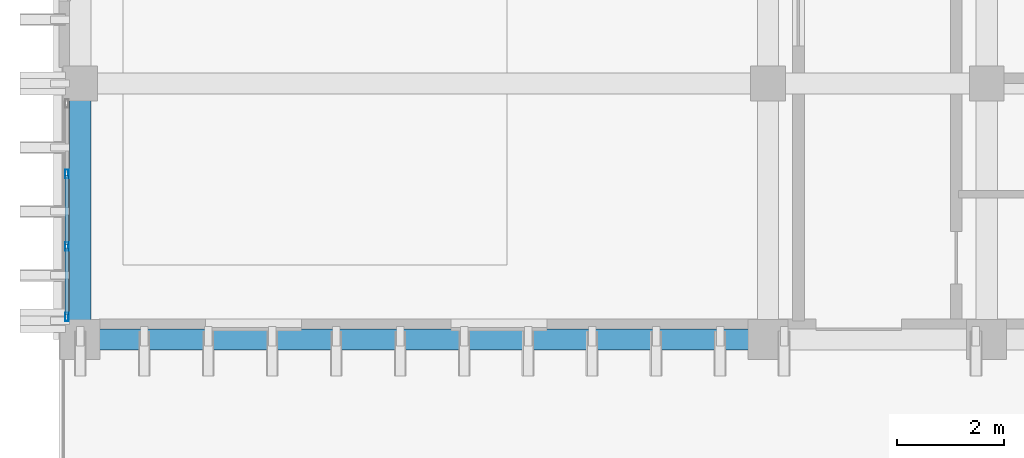
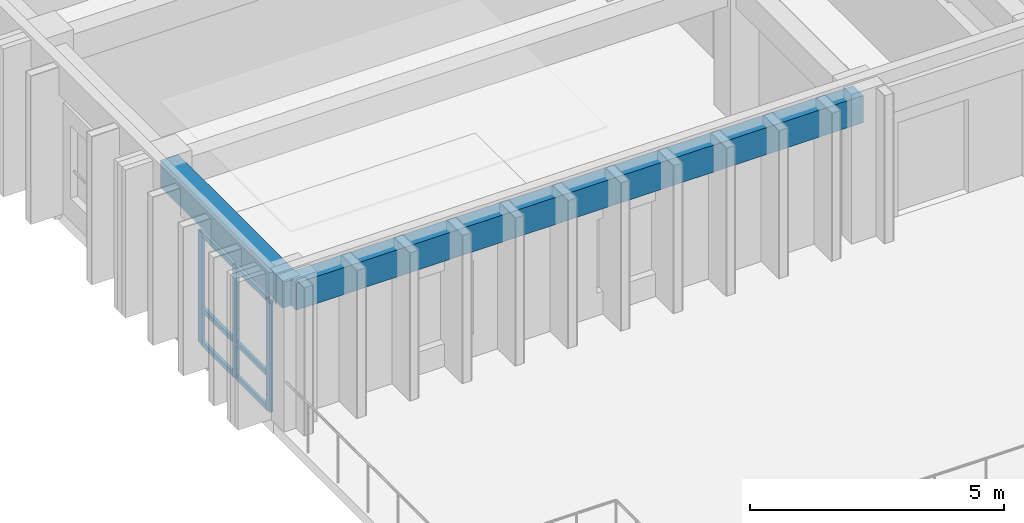
# One storey, part 2 of 64: 9 members, 2 beams, 1 element without a shape of its own.
"""IFC4 building model written with IfcOpenShell, lengths in metres."""

import ifcopenshell
import ifcopenshell.guid

model = None  # the IFC model being written
_history = None  # IfcOwnerHistory: only IFC2X3 demands one
_inside = {}  # id of a spatial element -> (the spatial element, [elements in it])
_under = {}  # id of a project, library or spatial element -> (it, [spatial elements below it])
_declared = {}  # id of a project -> (the project, [libraries it declares])
_typed = {}  # id of a type object -> (the type object, [elements of that type])
_made_of = {}  # id of a material, layer set ... -> (it, [elements and type objects made of it])


def new_model(schema):
    """Start an empty IFC model of exactly this schema.

    Asked for "IFC4X3", IfcOpenShell would pick the latest addendum, in which some entities
    have other attributes; the version numbers below select the first issue.
    IFC2X3 requires an IfcOwnerHistory on every rooted entity: one is made here for all.
    """
    global model, _history
    if schema == "IFC4X3":
        model = ifcopenshell.file(schema_version=(4, 3, 0, 0))
    else:
        model = ifcopenshell.file(schema=schema)
    _inside.clear()
    _under.clear()
    _declared.clear()
    _typed.clear()
    _made_of.clear()
    _history = None
    if model.schema == "IFC2X3":
        org = make("IfcOrganization", Name="unknown")
        user = make(
            "IfcPersonAndOrganization",
            ThePerson=make("IfcPerson", FamilyName="unknown"),
            TheOrganization=org,
        )
        app = make(
            "IfcApplication",
            ApplicationDeveloper=org,
            Version="unknown",
            ApplicationFullName="unknown",
            ApplicationIdentifier="unknown",
        )
        _history = make(
            "IfcOwnerHistory",
            OwningUser=user,
            OwningApplication=app,
            ChangeAction="ADDED",
            CreationDate=0,
        )
    return model


def make(cls, **values):
    """One entity of the class cls with the attributes given. An attribute that is None is left unset."""
    return model.create_entity(
        cls, **{name: value for name, value in values.items() if value is not None}
    )


def rooted(cls, **values):
    """An entity with a GlobalId (a new one), such as an element, a storey or a relation."""
    return make(cls, GlobalId=ifcopenshell.guid.new(), OwnerHistory=_history, **values)


def si_unit(unit_type, name, prefix=None):
    """IfcSIUnit, for example si_unit("LENGTHUNIT", "METRE", prefix="MILLI")."""
    return make("IfcSIUnit", UnitType=unit_type, Prefix=prefix, Name=name)


def assignment(units):
    """IfcUnitAssignment: the units of a project."""
    return None if units is None else make("IfcUnitAssignment", Units=units)


def point(xyz):
    """IfcCartesianPoint."""
    return None if xyz is None else make("IfcCartesianPoint", Coordinates=xyz)


def direction(xyz):
    """IfcDirection."""
    return None if xyz is None else make("IfcDirection", DirectionRatios=xyz)


def frame(location, z_axis=None, x_axis=None):
    """IfcAxis2Placement3D, a coordinate frame: its origin and axes. An axis left out is left unset."""
    return make(
        "IfcAxis2Placement3D",
        Location=point(location),
        Axis=direction(z_axis),
        RefDirection=direction(x_axis),
    )


def frame_2d(location, x_axis=None):
    """IfcAxis2Placement2D, a coordinate frame in the plane: its origin and x axis."""
    return make(
        "IfcAxis2Placement2D", Location=point(location), RefDirection=direction(x_axis)
    )


def origin():
    """The frame at (0, 0, 0) with its axes left unset."""
    return frame((0.0, 0.0, 0.0))


def origin_2d():
    """The frame at (0, 0) in the plane with its x axis left unset."""
    return frame_2d((0.0, 0.0))


def place(relative_to, where):
    """IfcLocalPlacement: puts the frame where relative to a parent placement (None: the world)."""
    return make(
        "IfcLocalPlacement", PlacementRelTo=relative_to, RelativePlacement=where
    )


def context(
    kind, dimensions, precision=None, world=None, true_north=None, identifier=None
):
    """IfcGeometricRepresentationContext, for example the 3D "Model" context."""
    return make(
        "IfcGeometricRepresentationContext",
        ContextIdentifier=identifier,
        ContextType=kind,
        CoordinateSpaceDimension=dimensions,
        Precision=precision,
        WorldCoordinateSystem=world,
        TrueNorth=true_north,
    )


def subcontext(parent, identifier, kind, view, scale=None):
    """IfcGeometricRepresentationSubContext, for example "Body" below "Model"."""
    return make(
        "IfcGeometricRepresentationSubContext",
        ContextIdentifier=identifier,
        ContextType=kind,
        ParentContext=parent,
        TargetScale=scale,
        TargetView=view,
    )


def project(units=None, contexts=None):
    """IfcProject with its units and contexts."""
    return rooted(
        "IfcProject",
        Name="project",
        RepresentationContexts=contexts,
        UnitsInContext=assignment(units),
    )


def spatial(cls, under=None, at=None, **own):
    """A site, building, storey or space (cls), placed at a placement, below another one or the project."""
    s = rooted(cls, ObjectPlacement=at, **own)
    if under is not None:
        _under.setdefault(under.id(), (under, []))[1].append(s)
    return s


def profile(cls, at=None, kind="AREA", **sizes):
    """A parametric profile (cls). Its sizes go by their IFC names, for example OverallWidth=200.0."""
    return make(cls, ProfileType=kind, Position=at, **sizes)


def rectangle(**sizes):
    """IfcRectangleProfileDef."""
    return profile("IfcRectangleProfileDef", **sizes)


def hollow_rectangle(**sizes):
    """IfcRectangleHollowProfileDef."""
    return profile("IfcRectangleHollowProfileDef", **sizes)


def extrude(swept, where, along, depth):
    """IfcExtrudedAreaSolid: the profile swept, set in the frame where, extruded along a direction by depth."""
    return make(
        "IfcExtrudedAreaSolid",
        SweptArea=swept,
        Position=where,
        ExtrudedDirection=direction(along),
        Depth=depth,
    )


def shape(context_of_items, identifier, shape_type, items):
    """IfcShapeRepresentation: the items that make up one representation, for example the "Body"."""
    return make(
        "IfcShapeRepresentation",
        ContextOfItems=context_of_items,
        RepresentationIdentifier=identifier,
        RepresentationType=shape_type,
        Items=items,
    )


def material(Name=None, Category=None):
    """IfcMaterial."""
    return make("IfcMaterial", Name=Name, Category=Category)


def layer(
    of_material, thickness, ventilated=None, Name=None, Category=None, Priority=None
):
    """IfcMaterialLayer: one layer of a wall or slab, of a material (None: an air gap)."""
    return make(
        "IfcMaterialLayer",
        Material=of_material,
        LayerThickness=thickness,
        IsVentilated=ventilated,
        Name=Name,
        Category=Category,
        Priority=Priority,
    )


def layer_set(layers, Name=None):
    """IfcMaterialLayerSet."""
    return make("IfcMaterialLayerSet", MaterialLayers=layers, LayerSetName=Name)


def material_profile(
    of_material, cross_section, Name=None, Category=None, Priority=None
):
    """IfcMaterialProfile: a cross section and its material."""
    return make(
        "IfcMaterialProfile",
        Name=Name,
        Material=of_material,
        Profile=cross_section,
        Priority=Priority,
        Category=Category,
    )


def profile_set(profiles, Name=None, composite=None):
    """IfcMaterialProfileSet."""
    return make(
        "IfcMaterialProfileSet",
        Name=Name,
        MaterialProfiles=profiles,
        CompositeProfile=composite,
    )


def made_of(thing, what):
    """Note that an element or type object is made of a material, layer set ...; save() writes the relation."""
    if what is not None:
        _made_of.setdefault(what.id(), (what, []))[1].append(thing)
    return thing


def type_object(cls, material=None, **own):
    """A type object (cls), such as IfcWallType, which elements share."""
    return made_of(rooted(cls, **own), material)


def element(
    cls,
    number,
    at=None,
    inside=None,
    cuts=None,
    type_object=None,
    material=None,
    context=None,
    identifier="Body",
    shape_type=None,
    held_by="IfcProductDefinitionShape",
    body=None,
    shapes=None,
    **own,
):
    """One element of the class cls, such as IfcWall. Its Tag is "e" and its number.

    at: its placement. inside: the storey or other place that contains it. cuts: it is an
    opening in that element (IfcRelVoidsElement). A single representation is given by context,
    identifier, shape_type and body (its items); several are given by shapes. held_by: the class
    of the entity that holds the representations. save() writes the other relations.
    """
    e = rooted(cls, Tag="e%d" % number, ObjectPlacement=at, **own)
    if body is not None:
        shapes = [shape(context, identifier, shape_type, body)]
    if shapes is not None:
        e.Representation = make(held_by, Representations=shapes)
    if inside is not None:
        _inside.setdefault(inside.id(), (inside, []))[1].append(e)
    if cuts is not None:
        rooted(
            "IfcRelVoidsElement", RelatingBuildingElement=cuts, RelatedOpeningElement=e
        )
    if type_object is not None:
        _typed.setdefault(type_object.id(), (type_object, []))[1].append(e)
    return made_of(e, material)


def aggregate(whole, parts):
    """IfcRelAggregates: a whole, such as a stair, and the parts it consists of."""
    return rooted("IfcRelAggregates", RelatingObject=whole, RelatedObjects=parts)


def save(model, path):
    """Write the relations noted so far, then the file.

    IfcRelAggregates (storeys below a building ...), IfcRelContainedInSpatialStructure (elements
    in a storey), IfcRelDefinesByType, IfcRelAssociatesMaterial and IfcRelDeclares: one each for
    every whole, place, type object, material and project.
    """
    for whole, parts in _under.values():
        aggregate(whole, parts)
    for where, things in _inside.values():
        rooted(
            "IfcRelContainedInSpatialStructure",
            RelatedElements=things,
            RelatingStructure=where,
        )
    for kind, things in _typed.values():
        rooted("IfcRelDefinesByType", RelatedObjects=things, RelatingType=kind)
    for what, things in _made_of.values():
        rooted("IfcRelAssociatesMaterial", RelatedObjects=things, RelatingMaterial=what)
    for by, libraries in _declared.values():
        rooted("IfcRelDeclares", RelatingContext=by, RelatedDefinitions=libraries)
    model.write(path)


model = new_model("IFC4")

# Units and contexts
model_context = context("Model", 3, precision=1e-05, world=origin(), true_north=direction((0.0, 1.0)))
body_context = subcontext(model_context, "Body", "Model", "MODEL_VIEW")
ifc_project = project(units=[si_unit("LENGTHUNIT", "METRE"), si_unit("AREAUNIT", "SQUARE_METRE"), si_unit("VOLUMEUNIT", "CUBIC_METRE"), si_unit("PLANEANGLEUNIT", "RADIAN"), si_unit("MASSUNIT", "GRAM", prefix="KILO")], contexts=[model_context])

# Site, building, storey
site_placement = place(None, origin())
site = spatial("IfcSite", under=ifc_project, at=site_placement, CompositionType="ELEMENT")
building_placement = place(site_placement, origin())
building = spatial("IfcBuilding", under=site, at=building_placement, Name="Nakhvara Creek Congress Hotel", CompositionType="ELEMENT")
storey_placement = place(building_placement, frame((0.0, 0.0, 28.199951171875)))
storey = spatial("IfcBuildingStorey", under=building, at=storey_placement, Name="L06", CompositionType="ELEMENT", Elevation=28.199951171875)

# Beams
ifc_material_1 = material(Name="Concrete C40/50", Category="concrete")
ifc_material_profile_1 = material_profile(ifc_material_1, rectangle(XDim=0.39990234375, YDim=0.64990234375, at=origin_2d()), Name="RC-BM 400x650", Category="LoadBearing")
ifc_profile_set_1 = profile_set([ifc_material_profile_1], Name="Concrete C40/50")
beam_type = type_object("IfcBeamType", Name="BM-RC-400X650", PredefinedType="BEAM", material=ifc_profile_set_1)
beam_1_placement = place(storey_placement, frame((149.449951171875, 38.39990234375, 3.01513671875), z_axis=(1.0, 0.0, 0.0), x_axis=(0.0, 1.0, 0.0)))
element("IfcBeam", 1, at=beam_1_placement, inside=storey, type_object=beam_type, Name="Beam B06-L06-2193", PredefinedType="BEAM", context=body_context, shape_type="SweptSolid", body=[
    extrude(rectangle(XDim=0.39990234375, YDim=0.64990234375, at=origin_2d()), origin(), (0.0, 0.0, 1.0), 12.900146484375),
])
beam_2_placement = place(storey_placement, frame((149.449951171875, 38.39990234375, 3.01513671875), z_axis=(0.0, 1.0, 0.0), x_axis=(-1.0, 0.0, 0.0)))
element("IfcBeam", 2, at=beam_2_placement, inside=storey, type_object=beam_type, Name="Beam B06-L06-2194", PredefinedType="BEAM", context=body_context, shape_type="SweptSolid", body=[
    extrude(rectangle(XDim=0.39990234375, YDim=0.64990234375, at=origin_2d()), origin(), (0.0, 0.0, 1.0), 4.800048828125),
])

# Curtain wall, members
ifc_material_2 = material(Name="Bronze-anodised aluminium AW-6063-T6 and double-silver low-E glass", Category="aluminium")
ifc_layer = layer(ifc_material_2, 0.199951171875)
ifc_layer_set = layer_set([ifc_layer], Name="Bronze-anodised aluminium AW-6063-T6 and double-silver low-E glass")
curtain_wall_type = type_object("IfcCurtainWallType", Name="CW-HTL-UNIT", PredefinedType="USERDEFINED", material=ifc_layer_set)
curtain_wall_placement = place(storey_placement, origin())
curtain_wall = element("IfcCurtainWall", 3, at=curtain_wall_placement, inside=storey, type_object=curtain_wall_type, Name="Curtain Wall CW230", ObjectType="UNITISED", PredefinedType="USERDEFINED")
ifc_material_3 = material(Name="Bronze-anodised aluminium AW-6063-T6", Category="aluminium")
ifc_material_profile_2 = material_profile(ifc_material_3, hollow_rectangle(XDim=0.06494140625, YDim=0.159912109375, WallThickness=0.00390625, at=origin_2d()), Name="ALU-MULL 65x160x4", Category="LoadBearing")
ifc_profile_set_2 = profile_set([ifc_material_profile_2], Name="Bronze-anodised aluminium AW-6063-T6")
member_type_1 = type_object("IfcMemberType", Name="CW-MULL-160", PredefinedType="MULLION", material=ifc_profile_set_2)
member_1_placement = place(storey_placement, frame((149.199951171875, 38.822509765625, 0.0), z_axis=(0.0, 0.0, 1.0), x_axis=(-1.0, 0.0, 0.0)))
member_1 = element("IfcMember", 4, at=member_1_placement, type_object=member_type_1, Name="CW230 mullion 1", PredefinedType="MULLION", context=body_context, shape_type="SweptSolid", body=[
    extrude(hollow_rectangle(XDim=0.06494140625, YDim=0.159912109375, WallThickness=0.00390625, at=origin_2d()), origin(), (0.0, 0.0, 1.0), 2.68212890625),
])
member_2_placement = place(storey_placement, frame((149.199951171875, 40.146728515625, 0.0), z_axis=(0.0, 0.0, 1.0), x_axis=(-1.0, 0.0, 0.0)))
member_2 = element("IfcMember", 5, at=member_2_placement, type_object=member_type_1, Name="CW230 mullion 2", PredefinedType="MULLION", context=body_context, shape_type="SweptSolid", body=[
    extrude(hollow_rectangle(XDim=0.06494140625, YDim=0.159912109375, WallThickness=0.00390625, at=origin_2d()), origin(), (0.0, 0.0, 1.0), 2.68212890625),
])
member_3_placement = place(storey_placement, frame((149.199951171875, 41.50341796875, 0.0), z_axis=(0.0, 0.0, 1.0), x_axis=(-1.0, 0.0, 0.0)))
member_3 = element("IfcMember", 6, at=member_3_placement, type_object=member_type_1, Name="CW230 mullion 3", PredefinedType="MULLION", context=body_context, shape_type="SweptSolid", body=[
    extrude(hollow_rectangle(XDim=0.06494140625, YDim=0.159912109375, WallThickness=0.00390625, at=origin_2d()), origin(), (0.0, 0.0, 1.0), 2.68212890625),
])
ifc_material_profile_3 = material_profile(ifc_material_3, hollow_rectangle(XDim=0.06494140625, YDim=0.1201171875, WallThickness=0.00390625, at=origin_2d()), Name="ALU-TRAN 65x120x4", Category="LoadBearing")
ifc_profile_set_3 = profile_set([ifc_material_profile_3], Name="Bronze-anodised aluminium AW-6063-T6")
member_type_2 = type_object("IfcMemberType", Name="CW-TRAN-120", PredefinedType="USERDEFINED", material=ifc_profile_set_3)
member_4_placement = place(storey_placement, frame((149.199951171875, 38.85498046875, 0.032470703125), z_axis=(0.0, 1.0, 0.0), x_axis=(-1.0, 0.0, 0.0)))
member_4 = element("IfcMember", 7, at=member_4_placement, type_object=member_type_2, Name="CW230 transom 1.1", ObjectType="TRANSOM", PredefinedType="USERDEFINED", context=body_context, shape_type="SweptSolid", body=[
    extrude(hollow_rectangle(XDim=0.06494140625, YDim=0.1201171875, WallThickness=0.00390625, at=origin_2d()), origin(), (0.0, 0.0, 1.0), 1.25927734375),
])
member_5_placement = place(storey_placement, frame((149.199951171875, 38.85498046875, 0.85009765625), z_axis=(0.0, 1.0, 0.0), x_axis=(-1.0, 0.0, 0.0)))
member_5 = element("IfcMember", 8, at=member_5_placement, type_object=member_type_2, Name="CW230 transom 1.2", ObjectType="TRANSOM", PredefinedType="USERDEFINED", context=body_context, shape_type="SweptSolid", body=[
    extrude(hollow_rectangle(XDim=0.06494140625, YDim=0.1201171875, WallThickness=0.00390625, at=origin_2d()), origin(), (0.0, 0.0, 1.0), 1.25927734375),
])
member_6_placement = place(storey_placement, frame((149.199951171875, 38.85498046875, 2.649658203125), z_axis=(0.0, 1.0, 0.0), x_axis=(-1.0, 0.0, 0.0)))
member_6 = element("IfcMember", 9, at=member_6_placement, type_object=member_type_2, Name="CW230 transom 1.3", ObjectType="TRANSOM", PredefinedType="USERDEFINED", context=body_context, shape_type="SweptSolid", body=[
    extrude(hollow_rectangle(XDim=0.06494140625, YDim=0.1201171875, WallThickness=0.00390625, at=origin_2d()), origin(), (0.0, 0.0, 1.0), 1.25927734375),
])
member_7_placement = place(storey_placement, frame((149.199951171875, 40.17919921875, 0.032470703125), z_axis=(0.0, 1.0, 0.0), x_axis=(-1.0, 0.0, 0.0)))
member_7 = element("IfcMember", 10, at=member_7_placement, type_object=member_type_2, Name="CW230 transom 2.1", ObjectType="TRANSOM", PredefinedType="USERDEFINED", context=body_context, shape_type="SweptSolid", body=[
    extrude(hollow_rectangle(XDim=0.06494140625, YDim=0.1201171875, WallThickness=0.00390625, at=origin_2d()), origin(), (0.0, 0.0, 1.0), 1.291748046875),
])
member_8_placement = place(storey_placement, frame((149.199951171875, 40.17919921875, 0.85009765625), z_axis=(0.0, 1.0, 0.0), x_axis=(-1.0, 0.0, 0.0)))
member_8 = element("IfcMember", 11, at=member_8_placement, type_object=member_type_2, Name="CW230 transom 2.2", ObjectType="TRANSOM", PredefinedType="USERDEFINED", context=body_context, shape_type="SweptSolid", body=[
    extrude(hollow_rectangle(XDim=0.06494140625, YDim=0.1201171875, WallThickness=0.00390625, at=origin_2d()), origin(), (0.0, 0.0, 1.0), 1.291748046875),
])
member_9_placement = place(storey_placement, frame((149.199951171875, 40.17919921875, 2.649658203125), z_axis=(0.0, 1.0, 0.0), x_axis=(-1.0, 0.0, 0.0)))
member_9 = element("IfcMember", 12, at=member_9_placement, type_object=member_type_2, Name="CW230 transom 2.3", ObjectType="TRANSOM", PredefinedType="USERDEFINED", context=body_context, shape_type="SweptSolid", body=[
    extrude(hollow_rectangle(XDim=0.06494140625, YDim=0.1201171875, WallThickness=0.00390625, at=origin_2d()), origin(), (0.0, 0.0, 1.0), 1.291748046875),
])
aggregate(curtain_wall, [member_1, member_2, member_3, member_4, member_5, member_6, member_7, member_8, member_9])

save(model, "model.ifc")
